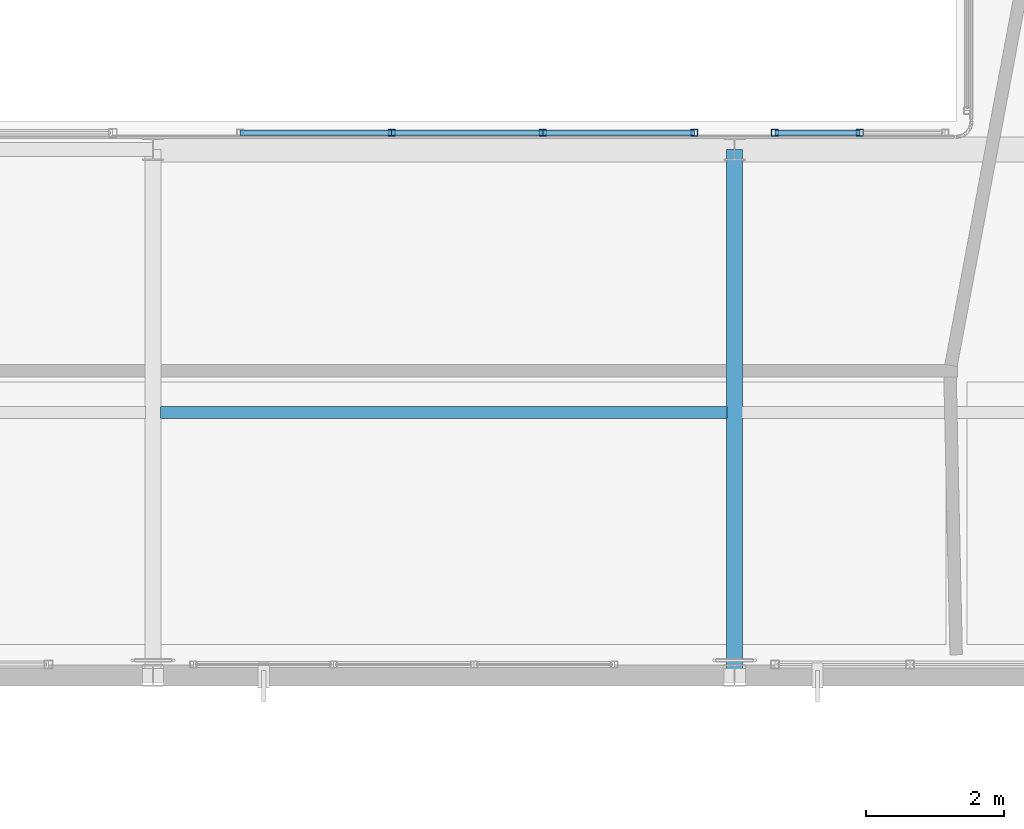
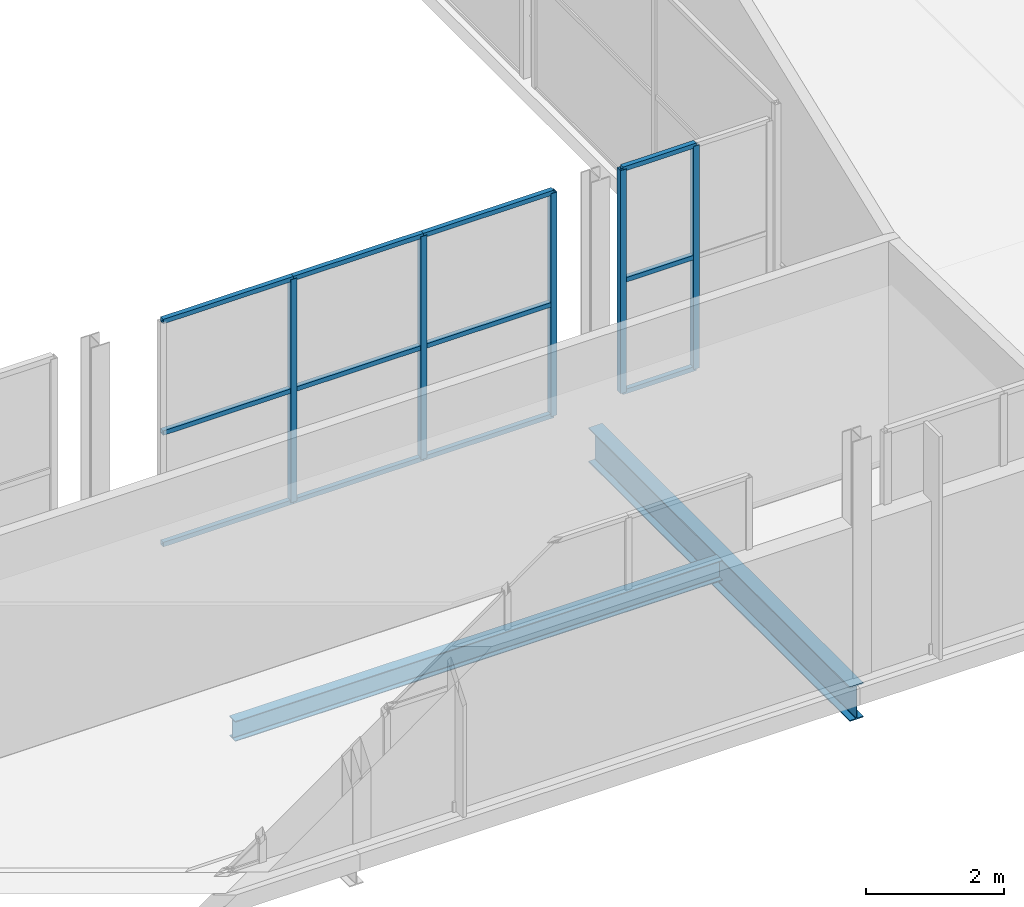
# One storey, part 86 of 151: 17 members, 2 beams, 2 elements without a shape of their own.
"""IFC4 building model written with IfcOpenShell, lengths in metres."""

from ifc_helpers import new_model, si_unit, direction, frame, origin, origin_2d, place, context, subcontext, project, spatial, hollow_rectangle, i_section, extrude, material, material_profile, profile_set, type_object, element, aggregate, save


model = new_model("IFC4")

# Units and contexts
model_context = context("Model", 3, precision=1e-05, world=origin(), true_north=direction((0.0, 1.0)))
body_context = subcontext(model_context, "Body", "Model", "MODEL_VIEW")
ifc_project = project(units=[si_unit("LENGTHUNIT", "METRE"), si_unit("AREAUNIT", "SQUARE_METRE"), si_unit("VOLUMEUNIT", "CUBIC_METRE"), si_unit("PLANEANGLEUNIT", "RADIAN"), si_unit("MASSUNIT", "GRAM", prefix="KILO")], contexts=[model_context])

# Site, building, storey
site_placement = place(None, origin())
site = spatial("IfcSite", under=ifc_project, at=site_placement, CompositionType="ELEMENT")
building_placement = place(site_placement, origin())
building = spatial("IfcBuilding", under=site, at=building_placement, Name="Zuvorla Pavilion Media Centre", CompositionType="ELEMENT")
storey_placement = place(building_placement, frame((0.0, 0.0, 13.800048828125)))
storey = spatial("IfcBuildingStorey", under=building, at=storey_placement, Name="L03", CompositionType="ELEMENT", Elevation=13.800048828125)

# Beams
ifc_material_1 = material(Name="Steel S355", Category="steel")
ifc_material_profile_1 = material_profile(ifc_material_1, i_section(OverallWidth=0.172119140625, OverallDepth=0.35791015625, WebThickness=0.008056640625, FlangeThickness=0.012939453125, FilletRadius=0.01025390625, at=origin_2d()), Name="UB 356x171x57")
ifc_profile_set_1 = profile_set([ifc_material_profile_1], Name="Steel S355")
beam_type_1 = type_object("IfcBeamType", Name="BM-UB356", PredefinedType="JOIST", material=ifc_profile_set_1)
beam_1_placement = place(storey_placement, frame((142.509521484375, 47.800048828125, -0.43701171875), z_axis=(1.0, 0.0, 0.0), x_axis=(0.0, 1.0, 0.0)))
element("IfcBeam", 1, at=beam_1_placement, inside=storey, type_object=beam_type_1, Name="L03 joist J03 1285", PredefinedType="JOIST", context=body_context, shape_type="SweptSolid", body=[
    extrude(i_section(OverallWidth=0.172119140625, OverallDepth=0.35791015625, WebThickness=0.008056640625, FlangeThickness=0.012939453125, FilletRadius=0.01025390625, at=origin_2d()), origin(), (0.0, 0.0, 1.0), 8.180908203125),
])
ifc_material_profile_2 = material_profile(ifc_material_1, i_section(OverallWidth=0.22900390625, OverallDepth=0.6123046875, WebThickness=0.011962890625, FlangeThickness=0.01953125, FilletRadius=0.0126953125, at=origin_2d()), Name="UB 610x229x125")
ifc_profile_set_2 = profile_set([ifc_material_profile_2], Name="Steel S355")
beam_type_2 = type_object("IfcBeamType", Name="BM-UB610", PredefinedType="BEAM", material=ifc_profile_set_2)
beam_2_placement = place(storey_placement, frame((150.800048828125, 44.0, -0.564208984375), z_axis=(0.0, 1.0, 0.0), x_axis=(-1.0, 0.0, 0.0)))
element("IfcBeam", 2, at=beam_2_placement, inside=storey, type_object=beam_type_2, Name="L03 beam B07 1220", PredefinedType="BEAM", context=body_context, shape_type="SweptSolid", body=[
    extrude(i_section(OverallWidth=0.22900390625, OverallDepth=0.6123046875, WebThickness=0.011962890625, FlangeThickness=0.01953125, FilletRadius=0.0126953125, at=origin_2d()), origin(), (0.0, 0.0, 1.0), 7.60009765625),
])

# Curtain wall, members
ifc_material_2 = material(Name="Unitised anodised aluminium and solar glass curtain wall", Category="aluminium")
curtain_wall_type_1 = type_object("IfcCurtainWallType", Name="CW-SYS-21", PredefinedType="USERDEFINED", material=ifc_material_2)
curtain_wall_1_placement = place(storey_placement, origin())
curtain_wall_1 = element("IfcCurtainWall", 3, at=curtain_wall_1_placement, inside=storey, type_object=curtain_wall_type_1, Name="L03 curtain wall CW21 183", ObjectType="CURTAIN WALL", PredefinedType="USERDEFINED")
ifc_material_3 = material(Name="Anodised aluminium 6063-T6", Category="aluminium")
ifc_material_profile_3 = material_profile(ifc_material_3, hollow_rectangle(XDim=0.10009765625, YDim=0.10009765625, WallThickness=0.00439453125, at=origin_2d()), Name="ALU MULL 100x100")
ifc_profile_set_3 = profile_set([ifc_material_profile_3], Name="Anodised aluminium 6063-T6")
member_type_1 = type_object("IfcMemberType", Name="CW-MULL-100", PredefinedType="MULLION", material=ifc_profile_set_3)
member_1_placement = place(storey_placement, frame((145.845947265625, 51.840087890625, 0.0), z_axis=(0.0, 0.0, 1.0), x_axis=(1.0, 0.0, 0.0)))
member_1 = element("IfcMember", 4, at=member_1_placement, type_object=member_type_1, Name="CW21 mullion 2", PredefinedType="MULLION", context=body_context, shape_type="SweptSolid", body=[
    extrude(hollow_rectangle(XDim=0.10009765625, YDim=0.10009765625, WallThickness=0.00439453125, at=origin_2d()), origin(), (0.0, 0.0, 1.0), 3.9599609375),
])
member_2_placement = place(storey_placement, frame((148.031982421875, 51.840087890625, 0.0), z_axis=(0.0, 0.0, 1.0), x_axis=(1.0, 0.0, 0.0)))
member_2 = element("IfcMember", 5, at=member_2_placement, type_object=member_type_1, Name="CW21 mullion 3", PredefinedType="MULLION", context=body_context, shape_type="SweptSolid", body=[
    extrude(hollow_rectangle(XDim=0.10009765625, YDim=0.10009765625, WallThickness=0.00439453125, at=origin_2d()), origin(), (0.0, 0.0, 1.0), 3.9599609375),
])
member_3_placement = place(storey_placement, frame((150.218017578125, 51.840087890625, 0.0), z_axis=(0.0, 0.0, 1.0), x_axis=(1.0, 0.0, 0.0)))
member_3 = element("IfcMember", 6, at=member_3_placement, type_object=member_type_1, Name="CW21 mullion 4", PredefinedType="MULLION", context=body_context, shape_type="SweptSolid", body=[
    extrude(hollow_rectangle(XDim=0.10009765625, YDim=0.10009765625, WallThickness=0.00439453125, at=origin_2d()), origin(), (0.0, 0.0, 1.0), 3.9599609375),
])

curtain_wall_type_2 = type_object("IfcCurtainWallType", Name="CW-SYS-56", PredefinedType="USERDEFINED", material=ifc_material_2)
curtain_wall_2_placement = place(storey_placement, origin())
curtain_wall_2 = element("IfcCurtainWall", 7, at=curtain_wall_2_placement, inside=storey, type_object=curtain_wall_type_2, Name="L03 curtain wall CW56 184", ObjectType="CURTAIN WALL", PredefinedType="USERDEFINED")
member_4_placement = place(storey_placement, frame((151.3818359375, 51.840087890625, 0.0), z_axis=(0.0, 0.0, 1.0), x_axis=(1.0, 0.0, 0.0)))
member_4 = element("IfcMember", 8, at=member_4_placement, type_object=member_type_1, Name="CW56 mullion 1", PredefinedType="MULLION", context=body_context, shape_type="SweptSolid", body=[
    extrude(hollow_rectangle(XDim=0.10009765625, YDim=0.10009765625, WallThickness=0.00439453125, at=origin_2d()), origin(), (0.0, 0.0, 1.0), 3.9599609375),
])
member_5_placement = place(storey_placement, frame((152.61083984375, 51.840087890625, 0.0), z_axis=(0.0, 0.0, 1.0), x_axis=(1.0, 0.0, 0.0)))
member_5 = element("IfcMember", 9, at=member_5_placement, type_object=member_type_1, Name="CW56 mullion 2", PredefinedType="MULLION", context=body_context, shape_type="SweptSolid", body=[
    extrude(hollow_rectangle(XDim=0.10009765625, YDim=0.10009765625, WallThickness=0.00439453125, at=origin_2d()), origin(), (0.0, 0.0, 1.0), 3.9599609375),
])

# Member
ifc_material_profile_4 = material_profile(ifc_material_3, hollow_rectangle(XDim=0.080078125, YDim=0.080078125, WallThickness=0.00390625, at=origin_2d()), Name="ALU TRAN 80x80")
ifc_profile_set_4 = profile_set([ifc_material_profile_4], Name="Anodised aluminium 6063-T6")
member_type_2 = type_object("IfcMemberType", Name="CW-TRAN-80", PredefinedType="USERDEFINED", material=ifc_profile_set_4)
member_6_placement = place(storey_placement, frame((143.659912109375, 51.840087890625, 0.0), z_axis=(1.0, 0.0, 0.0), x_axis=(0.0, 1.0, 0.0)))
member_6 = element("IfcMember", 10, at=member_6_placement, type_object=member_type_2, Name="CW21 transom 1.1", ObjectType="TRANSOM", PredefinedType="USERDEFINED", context=body_context, shape_type="SweptSolid", body=[
    extrude(hollow_rectangle(XDim=0.080078125, YDim=0.080078125, WallThickness=0.00390625, at=origin_2d()), origin(), (0.0, 0.0, 1.0), 2.18603515625),
])

member_7_placement = place(storey_placement, frame((143.659912109375, 51.840087890625, 1.97998046875), z_axis=(1.0, 0.0, 0.0), x_axis=(0.0, 1.0, 0.0)))
member_7 = element("IfcMember", 11, at=member_7_placement, type_object=member_type_2, Name="CW21 transom 1.2", ObjectType="TRANSOM", PredefinedType="USERDEFINED", context=body_context, shape_type="SweptSolid", body=[
    extrude(hollow_rectangle(XDim=0.080078125, YDim=0.080078125, WallThickness=0.00390625, at=origin_2d()), origin(), (0.0, 0.0, 1.0), 2.18603515625),
])

member_8_placement = place(storey_placement, frame((143.659912109375, 51.840087890625, 3.9599609375), z_axis=(1.0, 0.0, 0.0), x_axis=(0.0, 1.0, 0.0)))
member_8 = element("IfcMember", 12, at=member_8_placement, type_object=member_type_2, Name="CW21 transom 1.3", ObjectType="TRANSOM", PredefinedType="USERDEFINED", context=body_context, shape_type="SweptSolid", body=[
    extrude(hollow_rectangle(XDim=0.080078125, YDim=0.080078125, WallThickness=0.00390625, at=origin_2d()), origin(), (0.0, 0.0, 1.0), 2.18603515625),
])

member_9_placement = place(storey_placement, frame((145.845947265625, 51.840087890625, 0.0), z_axis=(1.0, 0.0, 0.0), x_axis=(0.0, 1.0, 0.0)))
member_9 = element("IfcMember", 13, at=member_9_placement, type_object=member_type_2, Name="CW21 transom 2.1", ObjectType="TRANSOM", PredefinedType="USERDEFINED", context=body_context, shape_type="SweptSolid", body=[
    extrude(hollow_rectangle(XDim=0.080078125, YDim=0.080078125, WallThickness=0.00390625, at=origin_2d()), origin(), (0.0, 0.0, 1.0), 2.18603515625),
])

member_10_placement = place(storey_placement, frame((145.845947265625, 51.840087890625, 1.97998046875), z_axis=(1.0, 0.0, 0.0), x_axis=(0.0, 1.0, 0.0)))
member_10 = element("IfcMember", 14, at=member_10_placement, type_object=member_type_2, Name="CW21 transom 2.2", ObjectType="TRANSOM", PredefinedType="USERDEFINED", context=body_context, shape_type="SweptSolid", body=[
    extrude(hollow_rectangle(XDim=0.080078125, YDim=0.080078125, WallThickness=0.00390625, at=origin_2d()), origin(), (0.0, 0.0, 1.0), 2.18603515625),
])

member_11_placement = place(storey_placement, frame((145.845947265625, 51.840087890625, 3.9599609375), z_axis=(1.0, 0.0, 0.0), x_axis=(0.0, 1.0, 0.0)))
member_11 = element("IfcMember", 15, at=member_11_placement, type_object=member_type_2, Name="CW21 transom 2.3", ObjectType="TRANSOM", PredefinedType="USERDEFINED", context=body_context, shape_type="SweptSolid", body=[
    extrude(hollow_rectangle(XDim=0.080078125, YDim=0.080078125, WallThickness=0.00390625, at=origin_2d()), origin(), (0.0, 0.0, 1.0), 2.18603515625),
])

member_12_placement = place(storey_placement, frame((148.031982421875, 51.840087890625, 0.0), z_axis=(1.0, 0.0, 0.0), x_axis=(0.0, 1.0, 0.0)))
member_12 = element("IfcMember", 16, at=member_12_placement, type_object=member_type_2, Name="CW21 transom 3.1", ObjectType="TRANSOM", PredefinedType="USERDEFINED", context=body_context, shape_type="SweptSolid", body=[
    extrude(hollow_rectangle(XDim=0.080078125, YDim=0.080078125, WallThickness=0.00390625, at=origin_2d()), origin(), (0.0, 0.0, 1.0), 2.18603515625),
])

member_13_placement = place(storey_placement, frame((148.031982421875, 51.840087890625, 1.97998046875), z_axis=(1.0, 0.0, 0.0), x_axis=(0.0, 1.0, 0.0)))
member_13 = element("IfcMember", 17, at=member_13_placement, type_object=member_type_2, Name="CW21 transom 3.2", ObjectType="TRANSOM", PredefinedType="USERDEFINED", context=body_context, shape_type="SweptSolid", body=[
    extrude(hollow_rectangle(XDim=0.080078125, YDim=0.080078125, WallThickness=0.00390625, at=origin_2d()), origin(), (0.0, 0.0, 1.0), 2.18603515625),
])

member_14_placement = place(storey_placement, frame((148.031982421875, 51.840087890625, 3.9599609375), z_axis=(1.0, 0.0, 0.0), x_axis=(0.0, 1.0, 0.0)))
member_14 = element("IfcMember", 18, at=member_14_placement, type_object=member_type_2, Name="CW21 transom 3.3", ObjectType="TRANSOM", PredefinedType="USERDEFINED", context=body_context, shape_type="SweptSolid", body=[
    extrude(hollow_rectangle(XDim=0.080078125, YDim=0.080078125, WallThickness=0.00390625, at=origin_2d()), origin(), (0.0, 0.0, 1.0), 2.18603515625),
])

aggregate(curtain_wall_1, [member_1, member_2, member_3, member_6, member_7, member_8, member_9, member_10, member_11, member_12, member_13, member_14])

member_15_placement = place(storey_placement, frame((151.3818359375, 51.840087890625, 0.0), z_axis=(1.0, 0.0, 0.0), x_axis=(0.0, 1.0, 0.0)))
member_15 = element("IfcMember", 19, at=member_15_placement, type_object=member_type_2, Name="CW56 transom 1.1", ObjectType="TRANSOM", PredefinedType="USERDEFINED", context=body_context, shape_type="SweptSolid", body=[
    extrude(hollow_rectangle(XDim=0.080078125, YDim=0.080078125, WallThickness=0.00390625, at=origin_2d()), origin(), (0.0, 0.0, 1.0), 1.22900390625),
])

member_16_placement = place(storey_placement, frame((151.3818359375, 51.840087890625, 1.97998046875), z_axis=(1.0, 0.0, 0.0), x_axis=(0.0, 1.0, 0.0)))
member_16 = element("IfcMember", 20, at=member_16_placement, type_object=member_type_2, Name="CW56 transom 1.2", ObjectType="TRANSOM", PredefinedType="USERDEFINED", context=body_context, shape_type="SweptSolid", body=[
    extrude(hollow_rectangle(XDim=0.080078125, YDim=0.080078125, WallThickness=0.00390625, at=origin_2d()), origin(), (0.0, 0.0, 1.0), 1.22900390625),
])

member_17_placement = place(storey_placement, frame((151.3818359375, 51.840087890625, 3.9599609375), z_axis=(1.0, 0.0, 0.0), x_axis=(0.0, 1.0, 0.0)))
member_17 = element("IfcMember", 21, at=member_17_placement, type_object=member_type_2, Name="CW56 transom 1.3", ObjectType="TRANSOM", PredefinedType="USERDEFINED", context=body_context, shape_type="SweptSolid", body=[
    extrude(hollow_rectangle(XDim=0.080078125, YDim=0.080078125, WallThickness=0.00390625, at=origin_2d()), origin(), (0.0, 0.0, 1.0), 1.22900390625),
])

aggregate(curtain_wall_2, [member_4, member_5, member_15, member_16, member_17])

save(model, "model.ifc")
